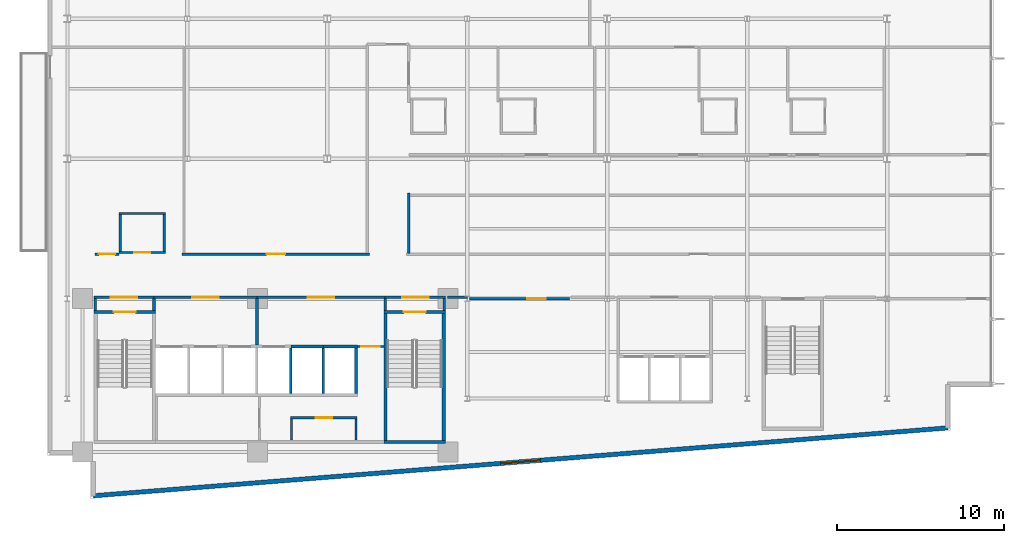
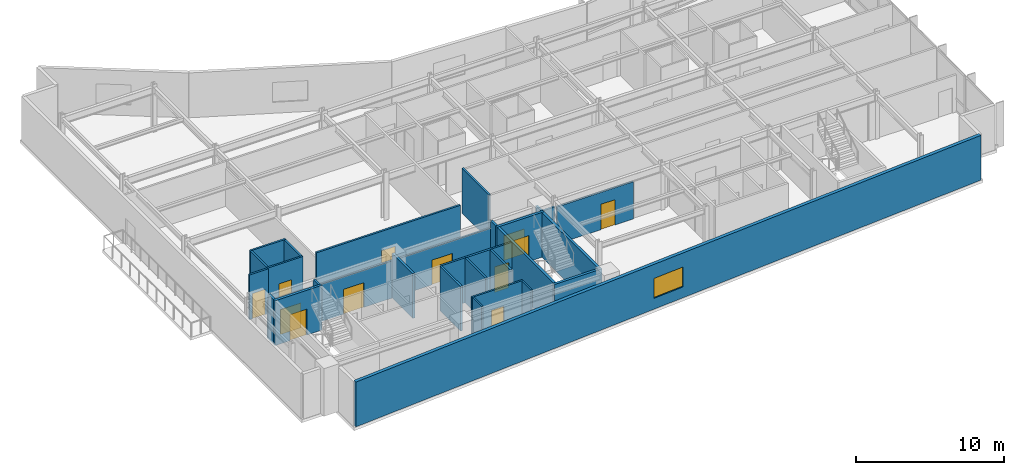
# One storey, part 10 of 17: 33 walls, 12 doors, 1 window, 13 openings.
"""IFC4 building model written with IfcOpenShell, lengths in metres."""

from ifc_helpers import new_model, si_unit, direction, frame, frame_2d, origin, place, context, subcontext, project, spatial, rectangle, extrude, material, layer, layer_set, type_object, element, fill, save


model = new_model("IFC4")

# Units and contexts
model_context = context("Model", 3, precision=1e-05, world=origin(), true_north=direction((0.0, 1.0)))
body_context = subcontext(model_context, "Body", "Model", "MODEL_VIEW")
ifc_project = project(units=[si_unit("LENGTHUNIT", "METRE"), si_unit("AREAUNIT", "SQUARE_METRE"), si_unit("VOLUMEUNIT", "CUBIC_METRE"), si_unit("PLANEANGLEUNIT", "RADIAN"), si_unit("MASSUNIT", "GRAM", prefix="KILO")], contexts=[model_context])

# Site, building, storey
site_placement = place(None, origin())
site = spatial("IfcSite", under=ifc_project, at=site_placement, CompositionType="ELEMENT")
building_placement = place(site_placement, origin())
building = spatial("IfcBuilding", under=site, at=building_placement, Name="Varnakote Quay Hospital", CompositionType="ELEMENT")
storey_placement = place(building_placement, frame((0.0, 0.0, 146.800048828125)))
storey = spatial("IfcBuildingStorey", under=building, at=storey_placement, Name="L36", CompositionType="ELEMENT", Elevation=146.800048828125)

# Wall
ifc_material_1 = material(Name="Fire-rated acoustic gypsum stud wall", Category="gypsum")
ifc_layer_1 = layer(ifc_material_1, 0.159912109375)
ifc_layer_set_1 = layer_set([ifc_layer_1], Name="Fire-rated acoustic gypsum stud wall")
wall_type_1 = type_object("IfcWallType", Name="WL-COMP-160", PredefinedType="PARTITIONING", material=ifc_layer_set_1)
wall_1_placement = place(storey_placement, frame((2.8798828125, 11.300048828125, 0.0), z_axis=(0.0, 0.0, 1.0), x_axis=(0.0, 1.0, 0.0)))
element("IfcWall", 1, at=wall_1_placement, inside=storey, type_object=wall_type_1, Name="L36 West Stair Vestibule West Wall", PredefinedType="PARTITIONING", context=body_context, shape_type="SweptSolid", body=[
    extrude(rectangle(XDim=0.699951171875, YDim=0.159912109375, at=frame_2d((0.35009765625, 0.0))), origin(), (0.0, 0.0, 1.0), 3.7099609375),
])

# Wall, opening, door
wall_2_placement = place(storey_placement, frame((2.800048828125, 12.080078125, 0.0), z_axis=(0.0, 0.0, 1.0), x_axis=(1.0, 0.0, 0.0)))
wall_2 = element("IfcWall", 2, at=wall_2_placement, inside=storey, type_object=wall_type_1, Name="L36 West Stair Vestibule Smoke Wall", PredefinedType="PARTITIONING", context=body_context, shape_type="SweptSolid", body=[
    extrude(rectangle(XDim=3.599853515625, YDim=0.159912109375, at=frame_2d((1.7998046875, 0.0))), origin(), (0.0, 0.0, 1.0), 3.0830078125),
])
opening_1_placement = place(wall_2_placement, frame((1.0, 0.0, 0.0)))
opening_1 = element("IfcOpeningElement", 3, at=opening_1_placement, cuts=wall_2, Name="Opening D-ST1L-L36", PredefinedType="OPENING", context=body_context, shape_type="SweptSolid", body=[
    extrude(rectangle(XDim=1.60009765625, YDim=2.050048828125, at=frame_2d((0.800048828125, 1.02490234375))), frame((0.0, 0.08984375, 0.0), z_axis=(0.0, -1.0, 0.0), x_axis=(1.0, 0.0, 0.0)), (0.0, 0.0, 1.0), 0.179931640625),
])
ifc_material_2 = material(Name="Fire-rated double smoke lobby door")
door_type_1 = type_object("IfcDoorType", Name="DR-LOBBY-FD60S-1600x2150", OperationType="NOTDEFINED", PredefinedType="DOOR", material=ifc_material_2)
door_1_placement = place(opening_1_placement, origin())
door_1 = element("IfcDoor", 4, at=door_1_placement, inside=storey, type_object=door_type_1, Name="L36 West Stair Vestibule Smoke Door", OperationType="DOUBLE_DOOR_SINGLE_SWING", OverallHeight=2.050048828125, OverallWidth=1.60009765625, PredefinedType="DOOR", context=body_context, shape_type="SweptSolid", body=[
    extrude(rectangle(XDim=1.60009765625, YDim=2.050048828125, at=frame_2d((0.800048828125, 1.02490234375))), frame((0.0, 0.02490234375, 0.0), z_axis=(0.0, -1.0, 0.0), x_axis=(1.0, 0.0, 0.0)), (0.0, 0.0, 1.0), 0.050048828125),
])
fill(opening_1, door_1)

# Wall
wall_3_placement = place(storey_placement, frame((6.39990234375, 11.300048828125, 0.0), z_axis=(0.0, 0.0, 1.0), x_axis=(0.0, 1.0, 0.0)))
element("IfcWall", 5, at=wall_3_placement, inside=storey, type_object=wall_type_1, Name="L36 Firefighting Lobby West Wall", PredefinedType="PARTITIONING", context=body_context, shape_type="SweptSolid", body=[
    extrude(rectangle(XDim=0.699951171875, YDim=0.159912109375, at=frame_2d((0.35009765625, 0.0))), origin(), (0.0, 0.0, 1.0), 3.7099609375),
])

# Wall, opening, door
wall_4_placement = place(storey_placement, frame((6.39990234375, 12.080078125, 0.0), z_axis=(0.0, 0.0, 1.0), x_axis=(1.0, 0.0, 0.0)))
wall_4 = element("IfcWall", 6, at=wall_4_placement, inside=storey, type_object=wall_type_1, Name="L36 Firefighting Lift Lobby Compartment Wall", PredefinedType="PARTITIONING", context=body_context, shape_type="SweptSolid", body=[
    extrude(rectangle(XDim=6.18017578125, YDim=0.159912109375, at=frame_2d((3.090087890625, 0.0))), origin(), (0.0, 0.0, 1.0), 3.0830078125),
])
opening_2_placement = place(wall_4_placement, frame((2.2900390625, 0.0, 0.0)))
opening_2 = element("IfcOpeningElement", 7, at=opening_2_placement, cuts=wall_4, Name="Opening D-FFL-L36", PredefinedType="OPENING", context=body_context, shape_type="SweptSolid", body=[
    extrude(rectangle(XDim=1.60009765625, YDim=2.050048828125, at=frame_2d((0.800048828125, 1.02490234375))), frame((0.0, 0.08984375, 0.0), z_axis=(0.0, -1.0, 0.0), x_axis=(1.0, 0.0, 0.0)), (0.0, 0.0, 1.0), 0.179931640625),
])
door_2_placement = place(opening_2_placement, origin())
door_2 = element("IfcDoor", 8, at=door_2_placement, inside=storey, type_object=door_type_1, Name="L36 Firefighting Smoke Vestibule Door", OperationType="DOUBLE_DOOR_SINGLE_SWING", OverallHeight=2.050048828125, OverallWidth=1.60009765625, PredefinedType="DOOR", context=body_context, shape_type="SweptSolid", body=[
    extrude(rectangle(XDim=1.60009765625, YDim=2.050048828125, at=frame_2d((0.800048828125, 1.02490234375))), frame((0.0, 0.02490234375, 0.0), z_axis=(0.0, -1.0, 0.0), x_axis=(1.0, 0.0, 0.0)), (0.0, 0.0, 1.0), 0.050048828125),
])
fill(opening_2, door_2)

# Wall
wall_5_placement = place(storey_placement, frame((12.580078125, 9.2099609375, 0.0), z_axis=(0.0, 0.0, 1.0), x_axis=(0.0, 1.0, 0.0)))
element("IfcWall", 9, at=wall_5_placement, inside=storey, type_object=wall_type_1, Name="L36 Firefighting to Service Lobby Wall", PredefinedType="PARTITIONING", context=body_context, shape_type="SweptSolid", body=[
    extrude(rectangle(XDim=2.7900390625, YDim=0.159912109375, at=frame_2d((1.39501953125, 0.0))), origin(), (0.0, 0.0, 1.0), 3.7099609375),
])

# Wall, opening, door
wall_6_placement = place(storey_placement, frame((12.580078125, 12.080078125, 0.0), z_axis=(0.0, 0.0, 1.0), x_axis=(1.0, 0.0, 0.0)))
wall_6 = element("IfcWall", 10, at=wall_6_placement, inside=storey, type_object=wall_type_1, Name="L36 Clinical Bed Lift Lobby Wall", PredefinedType="PARTITIONING", context=body_context, shape_type="SweptSolid", body=[
    extrude(rectangle(XDim=7.699951171875, YDim=0.159912109375, at=frame_2d((3.85009765625, 0.0))), origin(), (0.0, 0.0, 1.0), 3.0830078125),
])
opening_3_placement = place(wall_6_placement, frame((3.050048828125, 0.0, 0.0)))
opening_3 = element("IfcOpeningElement", 11, at=opening_3_placement, cuts=wall_6, Name="Opening D-SVL-L36", PredefinedType="OPENING", context=body_context, shape_type="SweptSolid", body=[
    extrude(rectangle(XDim=1.60009765625, YDim=2.050048828125, at=frame_2d((0.800048828125, 1.02490234375))), frame((0.0, 0.08984375, 0.0), z_axis=(0.0, -1.0, 0.0), x_axis=(1.0, 0.0, 0.0)), (0.0, 0.0, 1.0), 0.179931640625),
])
door_3_placement = place(opening_3_placement, origin())
door_3 = element("IfcDoor", 12, at=door_3_placement, inside=storey, type_object=door_type_1, Name="L36 Clinical Core Smoke Vestibule Door", OperationType="DOUBLE_DOOR_SINGLE_SWING", OverallHeight=2.050048828125, OverallWidth=1.60009765625, PredefinedType="DOOR", context=body_context, shape_type="SweptSolid", body=[
    extrude(rectangle(XDim=1.60009765625, YDim=2.050048828125, at=frame_2d((0.800048828125, 1.02490234375))), frame((0.0, 0.02490234375, 0.0), z_axis=(0.0, -1.0, 0.0), x_axis=(1.0, 0.0, 0.0)), (0.0, 0.0, 1.0), 0.050048828125),
])
fill(opening_3, door_3)

# Wall
wall_7_placement = place(storey_placement, frame((20.280029296875, 11.300048828125, 0.0), z_axis=(0.0, 0.0, 1.0), x_axis=(0.0, 1.0, 0.0)))
element("IfcWall", 13, at=wall_7_placement, inside=storey, type_object=wall_type_1, Name="L36 East Stair Vestibule Divider Wall", PredefinedType="PARTITIONING", context=body_context, shape_type="SweptSolid", body=[
    extrude(rectangle(XDim=0.699951171875, YDim=0.159912109375, at=frame_2d((0.35009765625, 0.0))), origin(), (0.0, 0.0, 1.0), 3.7099609375),
])

# Wall, opening, door
wall_8_placement = place(storey_placement, frame((20.280029296875, 12.080078125, 0.0), z_axis=(0.0, 0.0, 1.0), x_axis=(1.0, 0.0, 0.0)))
wall_8 = element("IfcWall", 14, at=wall_8_placement, inside=storey, type_object=wall_type_1, Name="L36 East Stair Vestibule Smoke Wall", PredefinedType="PARTITIONING", context=body_context, shape_type="SweptSolid", body=[
    extrude(rectangle(XDim=3.619873046875, YDim=0.159912109375, at=frame_2d((1.81005859375, 0.0))), origin(), (0.0, 0.0, 1.0), 3.0830078125),
])
opening_4_placement = place(wall_8_placement, frame((1.010009765625, 0.0, 0.0)))
opening_4 = element("IfcOpeningElement", 15, at=opening_4_placement, cuts=wall_8, Name="Opening D-ST2L-L36", PredefinedType="OPENING", context=body_context, shape_type="SweptSolid", body=[
    extrude(rectangle(XDim=1.60009765625, YDim=2.050048828125, at=frame_2d((0.800048828125, 1.02490234375))), frame((0.0, 0.08984375, 0.0), z_axis=(0.0, -1.0, 0.0), x_axis=(1.0, 0.0, 0.0)), (0.0, 0.0, 1.0), 0.179931640625),
])
door_4_placement = place(opening_4_placement, origin())
door_4 = element("IfcDoor", 16, at=door_4_placement, inside=storey, type_object=door_type_1, Name="L36 East Stair Vestibule Smoke Door", OperationType="DOUBLE_DOOR_SINGLE_SWING", OverallHeight=2.050048828125, OverallWidth=1.60009765625, PredefinedType="DOOR", context=body_context, shape_type="SweptSolid", body=[
    extrude(rectangle(XDim=1.60009765625, YDim=2.050048828125, at=frame_2d((0.800048828125, 1.02490234375))), frame((0.0, 0.02490234375, 0.0), z_axis=(0.0, -1.0, 0.0), x_axis=(1.0, 0.0, 0.0)), (0.0, 0.0, 1.0), 0.050048828125),
])
fill(opening_4, door_4)

# Walls
wall_9_placement = place(storey_placement, frame((23.820068359375, 11.300048828125, 0.0), z_axis=(0.0, 0.0, 1.0), x_axis=(0.0, 1.0, 0.0)))
element("IfcWall", 17, at=wall_9_placement, inside=storey, type_object=wall_type_1, Name="L36 East Stair Vestibule East Wall", PredefinedType="PARTITIONING", context=body_context, shape_type="SweptSolid", body=[
    extrude(rectangle(XDim=0.699951171875, YDim=0.159912109375, at=frame_2d((0.35009765625, 0.0))), origin(), (0.0, 0.0, 1.0), 3.7099609375),
])
wall_10_placement = place(storey_placement, frame((24.02001953125, 12.080078125, 0.0), z_axis=(0.0, 0.0, 1.0), x_axis=(1.0, 0.0, 0.0)))
element("IfcWall", 18, at=wall_10_placement, inside=storey, type_object=wall_type_1, Name="L36 Corridor South Gap Wall", PredefinedType="PARTITIONING", context=body_context, shape_type="SweptSolid", body=[
    extrude(rectangle(XDim=1.244140625, YDim=0.159912109375, at=frame_2d((0.6220703125, 0.0))), origin(), (0.0, 0.0, 1.0), 3.0830078125),
])

# Wall, opening, window
ifc_material_3 = material(Name="Precast concrete N50 (f'c 50 MPa)", Category="concrete")
ifc_layer_2 = layer(ifc_material_3, 0.260009765625)
ifc_layer_set_2 = layer_set([ifc_layer_2], Name="Precast concrete N50 (f'c 50 MPa)")
wall_type_2 = type_object("IfcWallType", Name="WL-EXT-BRICK-260", PredefinedType="STANDARD", material=ifc_layer_set_2)
wall_11_placement = place(storey_placement, frame((2.760009765625, 0.173095703125, 0.0), z_axis=(0.0, 0.0, 1.0), x_axis=(0.996857931723, 0.079210251617, 0.0)))
wall_11 = element("IfcWall", 19, at=wall_11_placement, inside=storey, type_object=wall_type_2, Name="L36 Brick-Faced Precast Exterior Wall", PredefinedType="STANDARD", context=body_context, shape_type="SweptSolid", body=[
    extrude(rectangle(XDim=51.441650390625, YDim=0.260009765625, at=frame_2d((25.720703125, 0.0))), origin(), (0.0, 0.0, 1.0), 3.7099609375),
])
opening_5_placement = place(wall_11_placement, frame((24.520751953125, 0.0, 0.89990234375)))
opening_5 = element("IfcOpeningElement", 20, at=opening_5_placement, cuts=wall_11, Name="Opening WN-0154", PredefinedType="OPENING", context=body_context, shape_type="SweptSolid", body=[
    extrude(rectangle(XDim=2.39990234375, YDim=1.64990234375, at=frame_2d((1.199951171875, 0.824951171875))), frame((0.0, 0.139892578125, 0.0), z_axis=(0.0, -1.0, 0.0), x_axis=(1.0, 0.0, 0.0)), (0.0, 0.0, 1.0), 0.280029296875),
])
ifc_material_4 = material(Name="Double-glazed low-E solar glass", Category="glass")
window_type = type_object("IfcWindowType", Name="WIN-CLIN-2400x1650", PartitioningType="SINGLE_PANEL", PredefinedType="WINDOW", material=ifc_material_4)
window_placement = place(opening_5_placement, origin())
window = element("IfcWindow", 21, at=window_placement, inside=storey, type_object=window_type, Name="L36 Solar-Control Clinical Window", OverallHeight=1.64990234375, OverallWidth=2.39990234375, PartitioningType="SINGLE_PANEL", PredefinedType="WINDOW", context=body_context, shape_type="SweptSolid", body=[
    extrude(rectangle(XDim=2.39990234375, YDim=1.64990234375, at=frame_2d((1.199951171875, 0.824951171875))), frame((0.0, 0.030029296875, 0.0), z_axis=(0.0, -1.0, 0.0), x_axis=(1.0, 0.0, 0.0)), (0.0, 0.0, 1.0), 0.06005859375),
])
fill(opening_5, window)

# Walls
ifc_material_5 = material(Name="Concrete N50 (f'c 50 MPa)", Category="concrete")
ifc_layer_3 = layer(ifc_material_5, 0.14990234375)
ifc_layer_set_3 = layer_set([ifc_layer_3], Name="Concrete N50 (f'c 50 MPa)")
wall_type_3 = type_object("IfcWallType", Name="WL-SHAFT-N50-150", PredefinedType="SHEAR", material=ifc_layer_set_3)
for number, where, z_axis, x_axis, name in (
    (22, (14.625, 6.300048828125, 0.0), (0.0, 0.0, 1.0), (0.0, 1.0, 0.0), "L36 LF-SV2 Hoistway Divider Wall"),
    (23, (16.574951171875, 6.300048828125, 0.0), (0.0, 0.0, 1.0), (0.0, 1.0, 0.0), "L36 LF-PH1 Hoistway Divider Wall"),
):
    element("IfcWall", number, at=place(storey_placement, frame(where, z_axis=z_axis, x_axis=x_axis)), inside=storey, type_object=wall_type_3, Name=name, PredefinedType="SHEAR", context=body_context, shape_type="SweptSolid", body=[
        extrude(rectangle(XDim=2.75, YDim=0.14990234375, at=frame_2d((1.375, 0.0))), origin(), (0.0, 0.0, 1.0), 3.7099609375),
    ])
ifc_material_6 = material(Name="Concrete N50 (f'c 50 MPa)", Category="concrete")
ifc_layer_4 = layer(ifc_material_6, 0.159912109375)
ifc_layer_set_4 = layer_set([ifc_layer_4], Name="Concrete N50 (f'c 50 MPa)")
wall_type_4 = type_object("IfcWallType", Name="WL-SHAFT-N50-160", PredefinedType="SHEAR", material=ifc_layer_set_4)
wall_12_placement = place(storey_placement, frame((18.530029296875, 6.300048828125, 0.0), z_axis=(0.0, 0.0, 1.0), x_axis=(0.0, 1.0, 0.0)))
element("IfcWall", 24, at=wall_12_placement, inside=storey, type_object=wall_type_4, Name="L36 REAR Lift Bank East Shear Wall", PredefinedType="SHEAR", context=body_context, shape_type="SweptSolid", body=[
    extrude(rectangle(XDim=2.75, YDim=0.159912109375, at=frame_2d((1.375, 0.0))), origin(), (0.0, 0.0, 1.0), 3.7099609375),
])
wall_13_placement = place(storey_placement, frame((14.625, 9.1298828125, 0.0), z_axis=(0.0, 0.0, 1.0), x_axis=(1.0, 0.0, 0.0)))
element("IfcWall", 25, at=wall_13_placement, inside=storey, type_object=wall_type_4, Name="L36 LF-PH1 Hoistway Front Wall", PredefinedType="SHEAR", context=body_context, shape_type="SweptSolid", body=[
    extrude(rectangle(XDim=1.949951171875, YDim=0.159912109375, at=frame_2d((0.97509765625, 0.0))), origin(), (0.0, 0.0, 1.0), 3.7099609375),
])
wall_14_placement = place(storey_placement, frame((16.574951171875, 9.1298828125, 0.0), z_axis=(0.0, 0.0, 1.0), x_axis=(1.0, 0.0, 0.0)))
element("IfcWall", 26, at=wall_14_placement, inside=storey, type_object=wall_type_4, Name="L36 LF-PH2 Hoistway Front Wall", PredefinedType="SHEAR", context=body_context, shape_type="SweptSolid", body=[
    extrude(rectangle(XDim=2.03515625, YDim=0.159912109375, at=frame_2d((1.017578125, 0.0))), origin(), (0.0, 0.0, 1.0), 3.7099609375),
])

# Wall, opening, door
ifc_material_7 = material(Name="Concrete N50 (f'c 50 MPa)", Category="concrete")
ifc_layer_5 = layer(ifc_material_7, 0.199951171875)
ifc_layer_set_5 = layer_set([ifc_layer_5], Name="Concrete N50 (f'c 50 MPa)")
wall_type_5 = type_object("IfcWallType", Name="WL-SHAFT-N50-200", PredefinedType="SHEAR", material=ifc_layer_set_5)
wall_15_placement = place(storey_placement, frame((2.800048828125, 11.199951171875, 0.0), z_axis=(0.0, 0.0, 1.0), x_axis=(1.0, 0.0, 0.0)))
wall_15 = element("IfcWall", 27, at=wall_15_placement, inside=storey, type_object=wall_type_5, Name="L36 Stair ST1 Exit Wall", PredefinedType="SHEAR", context=body_context, shape_type="SweptSolid", body=[
    extrude(rectangle(XDim=3.699951171875, YDim=0.199951171875, at=frame_2d((1.85009765625, 0.0))), origin(), (0.0, 0.0, 1.0), 3.7099609375),
])
opening_6_placement = place(wall_15_placement, frame((1.199951171875, 0.0, 0.0)))
opening_6 = element("IfcOpeningElement", 28, at=opening_6_placement, cuts=wall_15, Name="Opening D-ST1-L36", PredefinedType="OPENING", context=body_context, shape_type="SweptSolid", body=[
    extrude(rectangle(XDim=1.300048828125, YDim=2.14990234375, at=frame_2d((0.64990234375, 1.074951171875))), frame((0.0, 0.10986328125, 0.0), z_axis=(0.0, -1.0, 0.0), x_axis=(1.0, 0.0, 0.0)), (0.0, 0.0, 1.0), 0.219970703125),
])
ifc_material_8 = material(Name="Fire-rated ceramic-glazed timber exit door", Category="wood")
door_type_2 = type_object("IfcDoorType", Name="DR-STAIR-FD60S-1300x2150", OperationType="NOTDEFINED", PredefinedType="DOOR", material=ifc_material_8)
door_5_placement = place(opening_6_placement, origin())
door_5 = element("IfcDoor", 29, at=door_5_placement, inside=storey, type_object=door_type_2, Name="L36 Stair ST1 Fire Exit Door", OperationType="SINGLE_SWING_LEFT", OverallHeight=2.14990234375, OverallWidth=1.300048828125, PredefinedType="DOOR", context=body_context, shape_type="SweptSolid", body=[
    extrude(rectangle(XDim=1.300048828125, YDim=2.14990234375, at=frame_2d((0.64990234375, 1.074951171875))), frame((0.0, 0.02490234375, 0.0), z_axis=(0.0, -1.0, 0.0), x_axis=(1.0, 0.0, 0.0)), (0.0, 0.0, 1.0), 0.050048828125),
])
fill(opening_6, door_5)

# Walls
wall_16_placement = place(storey_placement, frame((20.199951171875, 3.39990234375, 0.0), z_axis=(0.0, 0.0, 1.0), x_axis=(1.0, 0.0, 0.0)))
element("IfcWall", 30, at=wall_16_placement, inside=storey, type_object=wall_type_5, Name="L36 Stair ST2 South Shaft Wall", PredefinedType="SHEAR", context=body_context, shape_type="SweptSolid", body=[
    extrude(rectangle(XDim=3.699951171875, YDim=0.199951171875, at=frame_2d((1.85009765625, 0.0))), origin(), (0.0, 0.0, 1.0), 3.7099609375),
])
for number, where, z_axis, x_axis, name in (
    (31, (20.300048828125, 3.5, 0.0), (0.0, 0.0, 1.0), (0.0, 1.0, 0.0), "L36 Stair ST2 West Shaft Wall"),
    (32, (23.800048828125, 3.5, 0.0), (0.0, 0.0, 1.0), (0.0, 1.0, 0.0), "L36 Stair ST2 East Shaft Wall"),
):
    element("IfcWall", number, at=place(storey_placement, frame(where, z_axis=z_axis, x_axis=x_axis)), inside=storey, type_object=wall_type_5, Name=name, PredefinedType="SHEAR", context=body_context, shape_type="SweptSolid", body=[
        extrude(rectangle(XDim=7.60009765625, YDim=0.199951171875, at=frame_2d((3.800048828125, 0.0))), origin(), (0.0, 0.0, 1.0), 3.7099609375),
    ])

# Wall, opening, door
wall_17_placement = place(storey_placement, frame((20.199951171875, 11.199951171875, 0.0), z_axis=(0.0, 0.0, 1.0), x_axis=(1.0, 0.0, 0.0)))
wall_17 = element("IfcWall", 33, at=wall_17_placement, inside=storey, type_object=wall_type_5, Name="L36 Stair ST2 Exit Wall", PredefinedType="SHEAR", context=body_context, shape_type="SweptSolid", body=[
    extrude(rectangle(XDim=3.699951171875, YDim=0.199951171875, at=frame_2d((1.85009765625, 0.0))), origin(), (0.0, 0.0, 1.0), 3.7099609375),
])
opening_7_placement = place(wall_17_placement, frame((1.199951171875, 0.0, 0.0)))
opening_7 = element("IfcOpeningElement", 34, at=opening_7_placement, cuts=wall_17, Name="Opening D-ST2-L36", PredefinedType="OPENING", context=body_context, shape_type="SweptSolid", body=[
    extrude(rectangle(XDim=1.300048828125, YDim=2.14990234375, at=frame_2d((0.64990234375, 1.074951171875))), frame((0.0, 0.10986328125, 0.0), z_axis=(0.0, -1.0, 0.0), x_axis=(1.0, 0.0, 0.0)), (0.0, 0.0, 1.0), 0.219970703125),
])
door_6_placement = place(opening_7_placement, origin())
door_6 = element("IfcDoor", 35, at=door_6_placement, inside=storey, type_object=door_type_2, Name="L36 Stair ST2 Fire Exit Door", OperationType="SINGLE_SWING_RIGHT", OverallHeight=2.14990234375, OverallWidth=1.300048828125, PredefinedType="DOOR", context=body_context, shape_type="SweptSolid", body=[
    extrude(rectangle(XDim=1.300048828125, YDim=2.14990234375, at=frame_2d((0.64990234375, 1.074951171875))), frame((0.0, 0.02490234375, 0.0), z_axis=(0.0, -1.0, 0.0), x_axis=(1.0, 0.0, 0.0)), (0.0, 0.0, 1.0), 0.050048828125),
])
fill(opening_7, door_6)

# Walls
ifc_material_9 = material(Name="Smoke-proof clinical partition", Category="gypsum")
ifc_layer_6 = layer(ifc_material_9, 0.1201171875)
ifc_layer_set_6 = layer_set([ifc_layer_6], Name="Smoke-proof clinical partition")
wall_type_6 = type_object("IfcWallType", Name="WL-SMOKE-120", PredefinedType="PARTITIONING", material=ifc_layer_set_6)
for number, where, z_axis, x_axis, name in (
    (36, (14.669921875, 3.52001953125, 0.0), (0.0, 0.0, 1.0), (0.0, 1.0, 0.0), "L36 Core WC West Wall"),
    (37, (18.5400390625, 3.52001953125, 0.0), (0.0, 0.0, 1.0), (0.0, 1.0, 0.0), "L36 Core WC East Wall"),
):
    element("IfcWall", number, at=place(storey_placement, frame(where, z_axis=z_axis, x_axis=x_axis)), inside=storey, type_object=wall_type_6, Name=name, PredefinedType="PARTITIONING", context=body_context, shape_type="SweptSolid", body=[
        extrude(rectangle(XDim=1.260009765625, YDim=0.1201171875, at=frame_2d((0.6298828125, 0.0))), origin(), (0.0, 0.0, 1.0), 3.7099609375),
    ])

# Wall, opening, door
ifc_material_10 = material(Name="Fire-rated clinical gypsum partition", Category="gypsum")
ifc_layer_7 = layer(ifc_material_10, 0.139892578125)
ifc_layer_set_7 = layer_set([ifc_layer_7], Name="Fire-rated clinical gypsum partition")
wall_type_7 = type_object("IfcWallType", Name="WL-WARD-140", PredefinedType="PARTITIONING", material=ifc_layer_set_7)
wall_18_placement = place(storey_placement, frame((14.60009765625, 4.85009765625, 0.0), z_axis=(0.0, 0.0, 1.0), x_axis=(1.0, 0.0, 0.0)))
wall_18 = element("IfcWall", 38, at=wall_18_placement, inside=storey, type_object=wall_type_7, Name="L36 Core Staff Sanitary WC North Wall", PredefinedType="PARTITIONING", context=body_context, shape_type="SweptSolid", body=[
    extrude(rectangle(XDim=4.0, YDim=0.139892578125, at=frame_2d((2.0, 0.0))), origin(), (0.0, 0.0, 1.0), 3.7099609375),
])
opening_8_placement = place(wall_18_placement, frame((1.510009765625, 0.0, 0.0)))
opening_8 = element("IfcOpeningElement", 39, at=opening_8_placement, cuts=wall_18, Name="Opening D-L36-CR02", PredefinedType="OPENING", context=body_context, shape_type="SweptSolid", body=[
    extrude(rectangle(XDim=0.97998046875, YDim=2.10009765625, at=frame_2d((0.489990234375, 1.050048828125))), frame((0.0, 0.079833984375, 0.0), z_axis=(0.0, -1.0, 0.0), x_axis=(1.0, 0.0, 0.0)), (0.0, 0.0, 1.0), 0.159912109375),
])
ifc_material_11 = material(Name="Accessible sanitary compartment door")
door_type_3 = type_object("IfcDoorType", Name="DR-WC-980x2100", OperationType="NOTDEFINED", PredefinedType="DOOR", material=ifc_material_11)
door_7_placement = place(opening_8_placement, origin())
door_7 = element("IfcDoor", 40, at=door_7_placement, inside=storey, type_object=door_type_3, Name="L36 Core Staff Sanitary WC Door", OperationType="SINGLE_SWING_LEFT", OverallHeight=2.10009765625, OverallWidth=0.97998046875, PredefinedType="DOOR", context=body_context, shape_type="SweptSolid", body=[
    extrude(rectangle(XDim=0.97998046875, YDim=2.10009765625, at=frame_2d((0.489990234375, 1.050048828125))), frame((0.0, 0.02490234375, 0.0), z_axis=(0.0, -1.0, 0.0), x_axis=(1.0, 0.0, 0.0)), (0.0, 0.0, 1.0), 0.050048828125),
])
fill(opening_8, door_7)

wall_19_placement = place(storey_placement, frame((18.610107421875, 9.1298828125, 0.0), z_axis=(0.0, 0.0, 1.0), x_axis=(1.0, 0.0, 0.0)))
wall_19 = element("IfcWall", 41, at=wall_19_placement, inside=storey, type_object=wall_type_7, Name="L36 Core Service Corridor North Door Wall", PredefinedType="PARTITIONING", context=body_context, shape_type="SweptSolid", body=[
    extrude(rectangle(XDim=1.58984375, YDim=0.139892578125, at=frame_2d((0.794921875, 0.0))), origin(), (0.0, 0.0, 1.0), 3.7099609375),
])
opening_9_placement = place(wall_19_placement, frame((0.239990234375, 0.0, 0.0)))
opening_9 = element("IfcOpeningElement", 42, at=opening_9_placement, cuts=wall_19, Name="Opening D-CSRV-L36", PredefinedType="OPENING", context=body_context, shape_type="SweptSolid", body=[
    extrude(rectangle(XDim=1.10009765625, YDim=2.10009765625, at=frame_2d((0.550048828125, 1.050048828125))), frame((0.0, 0.079833984375, 0.0), z_axis=(0.0, -1.0, 0.0), x_axis=(1.0, 0.0, 0.0)), (0.0, 0.0, 1.0), 0.159912109375),
])
ifc_material_12 = material(Name="Acoustic timber clinical consult door", Category="wood")
door_type_4 = type_object("IfcDoorType", Name="DR-CLIN-FD30S-1100x2100", OperationType="NOTDEFINED", PredefinedType="DOOR", material=ifc_material_12)
door_8_placement = place(opening_9_placement, origin())
door_8 = element("IfcDoor", 43, at=door_8_placement, inside=storey, type_object=door_type_4, Name="L36 Core Service Corridor Door", OperationType="SINGLE_SWING_RIGHT", OverallHeight=2.10009765625, OverallWidth=1.10009765625, PredefinedType="DOOR", context=body_context, shape_type="SweptSolid", body=[
    extrude(rectangle(XDim=1.10009765625, YDim=2.10009765625, at=frame_2d((0.550048828125, 1.050048828125))), frame((0.0, 0.02490234375, 0.0), z_axis=(0.0, -1.0, 0.0), x_axis=(1.0, 0.0, 0.0)), (0.0, 0.0, 1.0), 0.050048828125),
])
fill(opening_9, door_8)

wall_20_placement = place(storey_placement, frame((4.31005859375, 14.77001953125, 0.0), z_axis=(0.0, 0.0, 1.0), x_axis=(1.0, 0.0, 0.0)))
wall_20 = element("IfcWall", 44, at=wall_20_placement, inside=storey, type_object=wall_type_7, Name="L36 Floor Unisex Accessible WC S Wall", PredefinedType="PARTITIONING", context=body_context, shape_type="SweptSolid", body=[
    extrude(rectangle(XDim=2.780029296875, YDim=0.139892578125, at=frame_2d((1.39013671875, 0.0))), origin(), (0.0, 0.0, 1.0), 3.7099609375),
])
opening_10_placement = place(wall_20_placement, frame((0.89990234375, 0.0, 0.0)))
opening_10 = element("IfcOpeningElement", 45, at=opening_10_placement, cuts=wall_20, Name="Opening D-L36-EW01", PredefinedType="OPENING", context=body_context, shape_type="SweptSolid", body=[
    extrude(rectangle(XDim=0.97998046875, YDim=2.10009765625, at=frame_2d((0.489990234375, 1.050048828125))), frame((0.0, 0.079833984375, 0.0), z_axis=(0.0, -1.0, 0.0), x_axis=(1.0, 0.0, 0.0)), (0.0, 0.0, 1.0), 0.159912109375),
])
door_9_placement = place(opening_10_placement, origin())
door_9 = element("IfcDoor", 46, at=door_9_placement, inside=storey, type_object=door_type_3, Name="L36 Floor Unisex Accessible WC Door", OperationType="SINGLE_SWING_LEFT", OverallHeight=2.10009765625, OverallWidth=0.97998046875, PredefinedType="DOOR", context=body_context, shape_type="SweptSolid", body=[
    extrude(rectangle(XDim=0.97998046875, YDim=2.10009765625, at=frame_2d((0.489990234375, 1.050048828125))), frame((0.0, 0.02490234375, 0.0), z_axis=(0.0, -1.0, 0.0), x_axis=(1.0, 0.0, 0.0)), (0.0, 0.0, 1.0), 0.050048828125),
])
fill(opening_10, door_9)

# Walls
wall_21_placement = place(storey_placement, frame((4.31005859375, 17.110107421875, 0.0), z_axis=(0.0, 0.0, 1.0), x_axis=(1.0, 0.0, 0.0)))
element("IfcWall", 47, at=wall_21_placement, inside=storey, type_object=wall_type_7, Name="L36 Floor Unisex Accessible WC N Wall", PredefinedType="PARTITIONING", context=body_context, shape_type="SweptSolid", body=[
    extrude(rectangle(XDim=2.780029296875, YDim=0.139892578125, at=frame_2d((1.39013671875, 0.0))), origin(), (0.0, 0.0, 1.0), 3.7099609375),
])
for number, where, z_axis, x_axis, name in (
    (48, (4.3798828125, 14.840087890625, 0.0), (0.0, 0.0, 1.0), (0.0, 1.0, 0.0), "L36 Floor Unisex Accessible WC W Wall"),
    (49, (7.02001953125, 14.840087890625, 0.0), (0.0, 0.0, 1.0), (0.0, 1.0, 0.0), "L36 Floor Unisex Accessible WC E Wall"),
):
    element("IfcWall", number, at=place(storey_placement, frame(where, z_axis=z_axis, x_axis=x_axis)), inside=storey, type_object=wall_type_7, Name=name, PredefinedType="PARTITIONING", context=body_context, shape_type="SweptSolid", body=[
        extrude(rectangle(XDim=2.199951171875, YDim=0.139892578125, at=frame_2d((1.10009765625, 0.0))), origin(), (0.0, 0.0, 1.0), 3.7099609375),
    ])

# Wall, opening, door
ifc_material_13 = material(Name="Fire-rated clinical gypsum partition", Category="gypsum")
ifc_layer_8 = layer(ifc_material_13, 0.14990234375)
ifc_layer_set_8 = layer_set([ifc_layer_8], Name="Fire-rated clinical gypsum partition")
wall_type_8 = type_object("IfcWallType", Name="WL-WARD-150", PredefinedType="PARTITIONING", material=ifc_layer_set_8)
wall_22_placement = place(storey_placement, frame((31.35009765625, 12.0, 0.0), z_axis=(0.0, 0.0, 1.0), x_axis=(-1.0, 0.0, 0.0)))
wall_22 = element("IfcWall", 50, at=wall_22_placement, inside=storey, type_object=wall_type_8, Name="L36 Clinical Interior Partition", PredefinedType="PARTITIONING", context=body_context, shape_type="SweptSolid", body=[
    extrude(rectangle(XDim=5.99658203125, YDim=0.14990234375, at=frame_2d((2.998291015625, 0.0))), origin(), (0.0, 0.0, 1.0), 3.0830078125),
])
opening_11_placement = place(wall_22_placement, frame((1.4365234375, 0.0, 0.0)))
opening_11 = element("IfcOpeningElement", 51, at=opening_11_placement, cuts=wall_22, Name="Opening D-L36-RL1", PredefinedType="OPENING", context=body_context, shape_type="SweptSolid", body=[
    extrude(rectangle(XDim=1.10009765625, YDim=2.10009765625, at=frame_2d((0.550048828125, 1.050048828125))), frame((0.0, 0.0849609375, 0.0), z_axis=(0.0, -1.0, 0.0), x_axis=(1.0, 0.0, 0.0)), (0.0, 0.0, 1.0), 0.169921875),
])
door_10_placement = place(opening_11_placement, origin())
door_10 = element("IfcDoor", 52, at=door_10_placement, inside=storey, type_object=door_type_4, Name="L36 Day Infusion Treatment Suite Door", OperationType="SINGLE_SWING_RIGHT", OverallHeight=2.10009765625, OverallWidth=1.10009765625, PredefinedType="DOOR", context=body_context, shape_type="SweptSolid", body=[
    extrude(rectangle(XDim=1.10009765625, YDim=2.10009765625, at=frame_2d((0.550048828125, 1.050048828125))), frame((0.0, 0.02490234375, 0.0), z_axis=(0.0, -1.0, 0.0), x_axis=(1.0, 0.0, 0.0)), (0.0, 0.0, 1.0), 0.050048828125),
])
fill(opening_11, door_10)

wall_23_placement = place(storey_placement, frame((4.30810546875, 14.679931640625, 0.0), z_axis=(0.0, 0.0, 1.0), x_axis=(-1.0, 0.0, 0.0)))
wall_23 = element("IfcWall", 53, at=wall_23_placement, inside=storey, type_object=wall_type_8, Name="L36 Clinical Interior Partition", PredefinedType="PARTITIONING", context=body_context, shape_type="SweptSolid", body=[
    extrude(rectangle(XDim=1.4580078125, YDim=0.14990234375, at=frame_2d((0.72900390625, 0.0))), origin(), (0.0, 0.0, 1.0), 3.7099609375),
])
opening_12_placement = place(wall_23_placement, frame((0.239013671875, 0.0, 0.0)))
opening_12 = element("IfcOpeningElement", 54, at=opening_12_placement, cuts=wall_23, Name="Opening D-L36-DLNG", PredefinedType="OPENING", context=body_context, shape_type="SweptSolid", body=[
    extrude(rectangle(XDim=0.97998046875, YDim=2.10009765625, at=frame_2d((0.489990234375, 1.050048828125))), frame((0.0, 0.0849609375, 0.0), z_axis=(0.0, -1.0, 0.0), x_axis=(1.0, 0.0, 0.0)), (0.0, 0.0, 1.0), 0.169921875),
])
door_11_placement = place(opening_12_placement, origin())
door_11 = element("IfcDoor", 55, at=door_11_placement, inside=storey, type_object=door_type_3, Name="L36 Waterfront Patient & Family Dayroom Door", OperationType="SINGLE_SWING_RIGHT", OverallHeight=2.10009765625, OverallWidth=0.97998046875, PredefinedType="DOOR", context=body_context, shape_type="SweptSolid", body=[
    extrude(rectangle(XDim=0.97998046875, YDim=2.10009765625, at=frame_2d((0.489990234375, 1.050048828125))), frame((0.0, 0.02490234375, 0.0), z_axis=(0.0, -1.0, 0.0), x_axis=(1.0, 0.0, 0.0)), (0.0, 0.0, 1.0), 0.050048828125),
])
fill(opening_12, door_11)

wall_24_placement = place(storey_placement, frame((19.345947265625, 14.679931640625, 0.0), z_axis=(0.0, 0.0, 1.0), x_axis=(-1.0, 0.0, 0.0)))
wall_24 = element("IfcWall", 56, at=wall_24_placement, inside=storey, type_object=wall_type_8, Name="L36 Clinical Interior Partition", PredefinedType="PARTITIONING", context=body_context, shape_type="SweptSolid", body=[
    extrude(rectangle(XDim=11.251953125, YDim=0.14990234375, at=frame_2d((5.6259765625, 0.0))), origin(), (0.0, 0.0, 1.0), 3.7099609375),
])
opening_13_placement = place(wall_24_placement, frame((5.075927734375, 0.0, 0.0)))
opening_13 = element("IfcOpeningElement", 57, at=opening_13_placement, cuts=wall_24, Name="Opening D-L36-MD01", PredefinedType="OPENING", context=body_context, shape_type="SweptSolid", body=[
    extrude(rectangle(XDim=1.10009765625, YDim=2.10009765625, at=frame_2d((0.550048828125, 1.050048828125))), frame((0.0, 0.0849609375, 0.0), z_axis=(0.0, -1.0, 0.0), x_axis=(1.0, 0.0, 0.0)), (0.0, 0.0, 1.0), 0.169921875),
])
door_12_placement = place(opening_13_placement, origin())
door_12 = element("IfcDoor", 58, at=door_12_placement, inside=storey, type_object=door_type_4, Name="L36 Multidisciplinary Clinical Consultation Suite Door", OperationType="SINGLE_SWING_LEFT", OverallHeight=2.10009765625, OverallWidth=1.10009765625, PredefinedType="DOOR", context=body_context, shape_type="SweptSolid", body=[
    extrude(rectangle(XDim=1.10009765625, YDim=2.10009765625, at=frame_2d((0.550048828125, 1.050048828125))), frame((0.0, 0.02490234375, 0.0), z_axis=(0.0, -1.0, 0.0), x_axis=(1.0, 0.0, 0.0)), (0.0, 0.0, 1.0), 0.050048828125),
])
fill(opening_13, door_12)

# Wall
wall_25_placement = place(storey_placement, frame((21.699951171875, 14.699951171875, 0.0), z_axis=(0.0, 0.0, 1.0), x_axis=(0.0, 1.0, 0.0)))
element("IfcWall", 59, at=wall_25_placement, inside=storey, type_object=wall_type_8, Name="L36 Clinical Interior Partition", PredefinedType="PARTITIONING", context=body_context, shape_type="SweptSolid", body=[
    extrude(rectangle(XDim=3.64599609375, YDim=0.14990234375, at=frame_2d((1.822998046875, 0.0))), origin(), (0.0, 0.0, 1.0), 3.7099609375),
])

save(model, "model.ifc")
